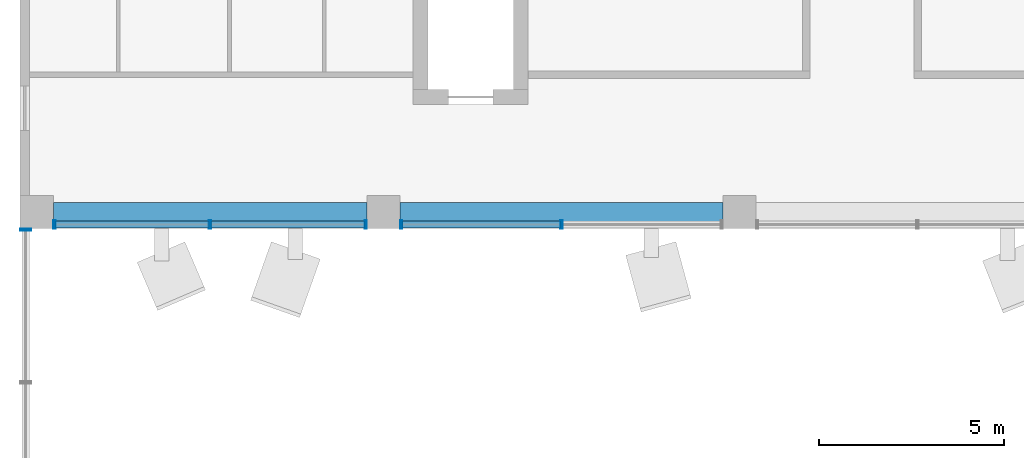
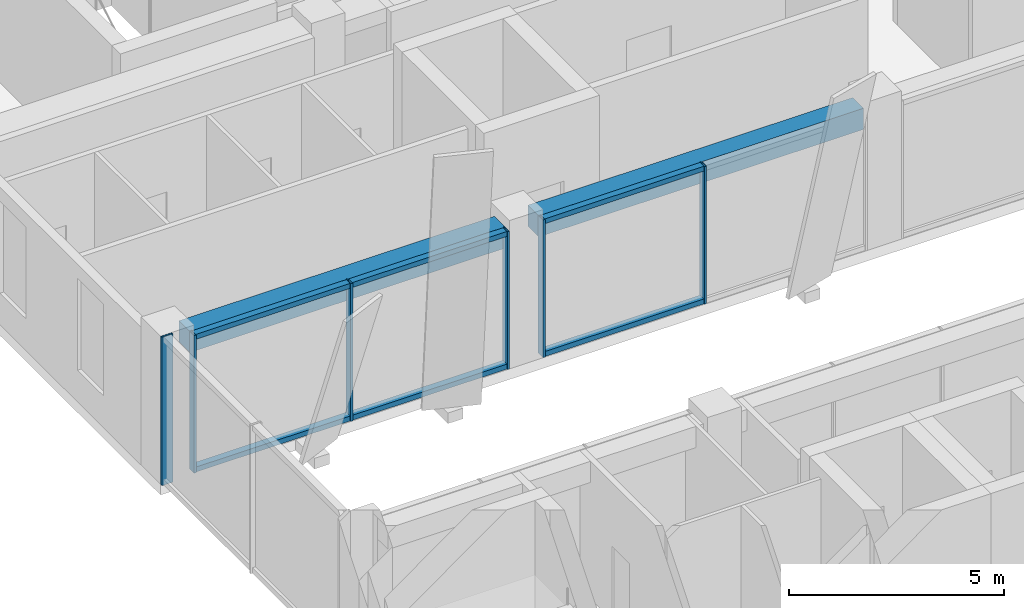
# One storey, part 8 of 36: 12 members, 2 beams, 3 elements without a shape of their own.
"""IFC4 building model written with IfcOpenShell, lengths in metres."""

from ifc_helpers import new_model, si_unit, direction, frame, origin, origin_2d, place, context, subcontext, project, spatial, rectangle, hollow_rectangle, extrude, material, layer, layer_set, material_profile, profile_set, type_object, element, aggregate, save


model = new_model("IFC4")

# Units and contexts
model_context = context("Model", 3, precision=1e-05, world=origin(), true_north=direction((0.0, 1.0)))
body_context = subcontext(model_context, "Body", "Model", "MODEL_VIEW")
ifc_project = project(units=[si_unit("LENGTHUNIT", "METRE"), si_unit("AREAUNIT", "SQUARE_METRE"), si_unit("VOLUMEUNIT", "CUBIC_METRE"), si_unit("PLANEANGLEUNIT", "RADIAN"), si_unit("MASSUNIT", "GRAM", prefix="KILO")], contexts=[model_context])

# Site, building, storey
site_placement = place(None, origin())
site = spatial("IfcSite", under=ifc_project, at=site_placement, CompositionType="ELEMENT")
building_placement = place(site_placement, origin())
building = spatial("IfcBuilding", under=site, at=building_placement, Name="Nzadi Deep Aquarium and Research Tower", CompositionType="ELEMENT")
storey_placement = place(building_placement, frame((0.0, 0.0, 40.300048828125)))
storey = spatial("IfcBuildingStorey", under=building, at=storey_placement, Name="L07", CompositionType="ELEMENT", Elevation=40.300048828125)

# Curtain wall, members
ifc_material_1 = material(Name="Aluminium unitised frame deep", Category="aluminium")
ifc_layer_1 = layer(ifc_material_1, 0.22509765625)
ifc_layer_set_1 = layer_set([ifc_layer_1], Name="Aluminium unitised frame deep")
curtain_wall_type_1 = type_object("IfcCurtainWallType", Name="Curtain wall Unitised Deep 225", PredefinedType="NOTDEFINED", material=ifc_layer_set_1)
curtain_wall_1_placement = place(storey_placement, origin())
curtain_wall_1 = element("IfcCurtainWall", 1, at=curtain_wall_1_placement, inside=storey, type_object=curtain_wall_type_1, Name="Unitised curtain wall blade B south L07", PredefinedType="NOTDEFINED")
ifc_material_2 = material(Name="Aluminium unitised frame deep", Category="aluminium")
ifc_material_profile_1 = material_profile(ifc_material_2, hollow_rectangle(XDim=0.22509765625, YDim=0.06005859375, WallThickness=0.0048828125, at=origin_2d()))
ifc_profile_set_1 = profile_set([ifc_material_profile_1], Name="Aluminium unitised frame deep")
member_type_1 = type_object("IfcMemberType", Name="Mullion 60x225 Unitised Deep", PredefinedType="MULLION", material=ifc_profile_set_1)
member_1_placement = place(storey_placement, frame((0.72998046875, 27.262451171875, 0.0), z_axis=(0.0, 0.0, 1.0), x_axis=(0.0, 1.0, 0.0)))
member_1 = element("IfcMember", 2, at=member_1_placement, type_object=member_type_1, Name="CW098 mullion 1", PredefinedType="MULLION", context=body_context, shape_type="SweptSolid", body=[
    extrude(hollow_rectangle(XDim=0.22509765625, YDim=0.06005859375, WallThickness=0.0048828125, at=origin_2d()), origin(), (0.0, 0.0, 1.0), 3.89990234375),
])
member_2_placement = place(storey_placement, frame((4.925048828125, 27.262451171875, 0.0), z_axis=(0.0, 0.0, 1.0), x_axis=(0.0, 1.0, 0.0)))
member_2 = element("IfcMember", 3, at=member_2_placement, type_object=member_type_1, Name="CW098 mullion 2", PredefinedType="MULLION", context=body_context, shape_type="SweptSolid", body=[
    extrude(hollow_rectangle(XDim=0.22509765625, YDim=0.06005859375, WallThickness=0.0048828125, at=origin_2d()), origin(), (0.0, 0.0, 1.0), 3.89990234375),
])
member_3_placement = place(storey_placement, frame((9.1201171875, 27.262451171875, 0.0), z_axis=(0.0, 0.0, 1.0), x_axis=(0.0, 1.0, 0.0)))
member_3 = element("IfcMember", 4, at=member_3_placement, type_object=member_type_1, Name="CW098 mullion 3", PredefinedType="MULLION", context=body_context, shape_type="SweptSolid", body=[
    extrude(hollow_rectangle(XDim=0.22509765625, YDim=0.06005859375, WallThickness=0.0048828125, at=origin_2d()), origin(), (0.0, 0.0, 1.0), 3.89990234375),
])

curtain_wall_2_placement = place(storey_placement, origin())
curtain_wall_2 = element("IfcCurtainWall", 5, at=curtain_wall_2_placement, inside=storey, type_object=curtain_wall_type_1, Name="Unitised curtain wall blade B south L07", PredefinedType="NOTDEFINED")
member_4_placement = place(storey_placement, frame((10.080078125, 27.262451171875, 0.0), z_axis=(0.0, 0.0, 1.0), x_axis=(0.0, 1.0, 0.0)))
member_4 = element("IfcMember", 6, at=member_4_placement, type_object=member_type_1, Name="CW099 mullion 1", PredefinedType="MULLION", context=body_context, shape_type="SweptSolid", body=[
    extrude(hollow_rectangle(XDim=0.22509765625, YDim=0.06005859375, WallThickness=0.0048828125, at=origin_2d()), origin(), (0.0, 0.0, 1.0), 3.89990234375),
])
member_5_placement = place(storey_placement, frame((14.39990234375, 27.262451171875, 0.0), z_axis=(0.0, 0.0, 1.0), x_axis=(0.0, 1.0, 0.0)))
member_5 = element("IfcMember", 7, at=member_5_placement, type_object=member_type_1, Name="CW099 mullion 2", PredefinedType="MULLION", context=body_context, shape_type="SweptSolid", body=[
    extrude(hollow_rectangle(XDim=0.22509765625, YDim=0.06005859375, WallThickness=0.0048828125, at=origin_2d()), origin(), (0.0, 0.0, 1.0), 3.89990234375),
])

# Curtain wall, member
ifc_material_3 = material(Name="Aluminium unitised frame wind post", Category="aluminium")
ifc_layer_2 = layer(ifc_material_3, 0.300048828125)
ifc_layer_set_2 = layer_set([ifc_layer_2], Name="Aluminium unitised frame wind post")
curtain_wall_type_2 = type_object("IfcCurtainWallType", Name="Curtain wall Slot End 300", PredefinedType="NOTDEFINED", material=ifc_layer_set_2)
curtain_wall_3_placement = place(storey_placement, origin())
curtain_wall_3 = element("IfcCurtainWall", 8, at=curtain_wall_3_placement, inside=storey, type_object=curtain_wall_type_2, Name="Glazed slot end west L07", PredefinedType="NOTDEFINED")
ifc_material_4 = material(Name="Aluminium unitised frame wind post", Category="aluminium")
ifc_material_profile_2 = material_profile(ifc_material_4, hollow_rectangle(XDim=0.300048828125, YDim=0.06005859375, WallThickness=0.0048828125, at=origin_2d()))
ifc_profile_set_2 = profile_set([ifc_material_profile_2], Name="Aluminium unitised frame wind post")
member_type_2 = type_object("IfcMemberType", Name="Mullion 60x300 Slot End", PredefinedType="MULLION", material=ifc_profile_set_2)
member_6_placement = place(storey_placement, frame((-0.049560546875, 27.1201171875, 0.0), z_axis=(0.0, 0.0, 1.0), x_axis=(-1.0, 0.0, 0.0)))
member_6 = element("IfcMember", 9, at=member_6_placement, type_object=member_type_2, Name="CW205 mullion 3", PredefinedType="MULLION", context=body_context, shape_type="SweptSolid", body=[
    extrude(hollow_rectangle(XDim=0.300048828125, YDim=0.06005859375, WallThickness=0.0048828125, at=origin_2d()), origin(), (0.0, 0.0, 1.0), 4.199951171875),
])
aggregate(curtain_wall_3, [member_6])

# Beams
ifc_material_5 = material(Name="Concrete C35/45", Category="concrete")
ifc_material_profile_3 = material_profile(ifc_material_5, rectangle(XDim=0.5, YDim=0.60009765625, at=origin_2d()))
ifc_profile_set_3 = profile_set([ifc_material_profile_3], Name="Concrete C35/45")
beam_type = type_object("IfcBeamType", Name="RC 500x600", PredefinedType="BEAM", material=ifc_profile_set_3)
beam_1_placement = place(storey_placement, frame((0.699951171875, 27.60009765625, 3.599853515625), z_axis=(1.0, 0.0, 0.0), x_axis=(0.0, 1.0, 0.0)))
element("IfcBeam", 10, at=beam_1_placement, inside=storey, type_object=beam_type, Name="B-Z1-L07-L4-1", PredefinedType="BEAM", context=body_context, shape_type="SweptSolid", body=[
    extrude(rectangle(XDim=0.5, YDim=0.60009765625, at=origin_2d()), origin(), (0.0, 0.0, 1.0), 8.449951171875),
])
beam_2_placement = place(storey_placement, frame((10.050048828125, 27.60009765625, 3.599853515625), z_axis=(1.0, 0.0, 0.0), x_axis=(0.0, 1.0, 0.0)))
element("IfcBeam", 11, at=beam_2_placement, inside=storey, type_object=beam_type, Name="B-Z1-L07-L4-2", PredefinedType="BEAM", context=body_context, shape_type="SweptSolid", body=[
    extrude(rectangle(XDim=0.5, YDim=0.60009765625, at=origin_2d()), origin(), (0.0, 0.0, 1.0), 8.699951171875),
])

# Member
ifc_material_6 = material(Name="Aluminium unitised frame deep", Category="aluminium")
ifc_material_profile_4 = material_profile(ifc_material_6, hollow_rectangle(XDim=0.179931640625, YDim=0.139892578125, WallThickness=0.0048828125, at=origin_2d()))
ifc_profile_set_4 = profile_set([ifc_material_profile_4], Name="Aluminium unitised frame deep")
member_type_3 = type_object("IfcMemberType", Name="Transom 140x180 Unitised Deep", PredefinedType="MULLION", material=ifc_profile_set_4)
member_7_placement = place(storey_placement, frame((0.760009765625, 27.262451171875, 0.070068359375), z_axis=(1.0, 0.0, 0.0), x_axis=(0.0, 1.0, 0.0)))
member_7 = element("IfcMember", 12, at=member_7_placement, type_object=member_type_3, Name="CW098 transom 1.1", PredefinedType="MULLION", context=body_context, shape_type="SweptSolid", body=[
    extrude(hollow_rectangle(XDim=0.179931640625, YDim=0.139892578125, WallThickness=0.0048828125, at=origin_2d()), origin(), (0.0, 0.0, 1.0), 4.135009765625),
])

member_8_placement = place(storey_placement, frame((0.760009765625, 27.262451171875, 3.829833984375), z_axis=(1.0, 0.0, 0.0), x_axis=(0.0, 1.0, 0.0)))
member_8 = element("IfcMember", 13, at=member_8_placement, type_object=member_type_3, Name="CW098 transom 1.2", PredefinedType="MULLION", context=body_context, shape_type="SweptSolid", body=[
    extrude(hollow_rectangle(XDim=0.179931640625, YDim=0.139892578125, WallThickness=0.0048828125, at=origin_2d()), origin(), (0.0, 0.0, 1.0), 4.135009765625),
])

member_9_placement = place(storey_placement, frame((4.955078125, 27.262451171875, 0.070068359375), z_axis=(1.0, 0.0, 0.0), x_axis=(0.0, 1.0, 0.0)))
member_9 = element("IfcMember", 14, at=member_9_placement, type_object=member_type_3, Name="CW098 transom 2.1", PredefinedType="MULLION", context=body_context, shape_type="SweptSolid", body=[
    extrude(hollow_rectangle(XDim=0.179931640625, YDim=0.139892578125, WallThickness=0.0048828125, at=origin_2d()), origin(), (0.0, 0.0, 1.0), 4.135009765625),
])

member_10_placement = place(storey_placement, frame((4.955078125, 27.262451171875, 3.829833984375), z_axis=(1.0, 0.0, 0.0), x_axis=(0.0, 1.0, 0.0)))
member_10 = element("IfcMember", 15, at=member_10_placement, type_object=member_type_3, Name="CW098 transom 2.2", PredefinedType="MULLION", context=body_context, shape_type="SweptSolid", body=[
    extrude(hollow_rectangle(XDim=0.179931640625, YDim=0.139892578125, WallThickness=0.0048828125, at=origin_2d()), origin(), (0.0, 0.0, 1.0), 4.135009765625),
])

aggregate(curtain_wall_1, [member_1, member_2, member_3, member_7, member_8, member_9, member_10])

member_11_placement = place(storey_placement, frame((10.110107421875, 27.262451171875, 0.070068359375), z_axis=(1.0, 0.0, 0.0), x_axis=(0.0, 1.0, 0.0)))
member_11 = element("IfcMember", 16, at=member_11_placement, type_object=member_type_3, Name="CW099 transom 1.1", PredefinedType="MULLION", context=body_context, shape_type="SweptSolid", body=[
    extrude(hollow_rectangle(XDim=0.179931640625, YDim=0.139892578125, WallThickness=0.0048828125, at=origin_2d()), origin(), (0.0, 0.0, 1.0), 4.260009765625),
])

member_12_placement = place(storey_placement, frame((10.110107421875, 27.262451171875, 3.829833984375), z_axis=(1.0, 0.0, 0.0), x_axis=(0.0, 1.0, 0.0)))
member_12 = element("IfcMember", 17, at=member_12_placement, type_object=member_type_3, Name="CW099 transom 1.2", PredefinedType="MULLION", context=body_context, shape_type="SweptSolid", body=[
    extrude(hollow_rectangle(XDim=0.179931640625, YDim=0.139892578125, WallThickness=0.0048828125, at=origin_2d()), origin(), (0.0, 0.0, 1.0), 4.260009765625),
])

aggregate(curtain_wall_2, [member_4, member_5, member_11, member_12])

save(model, "model.ifc")
